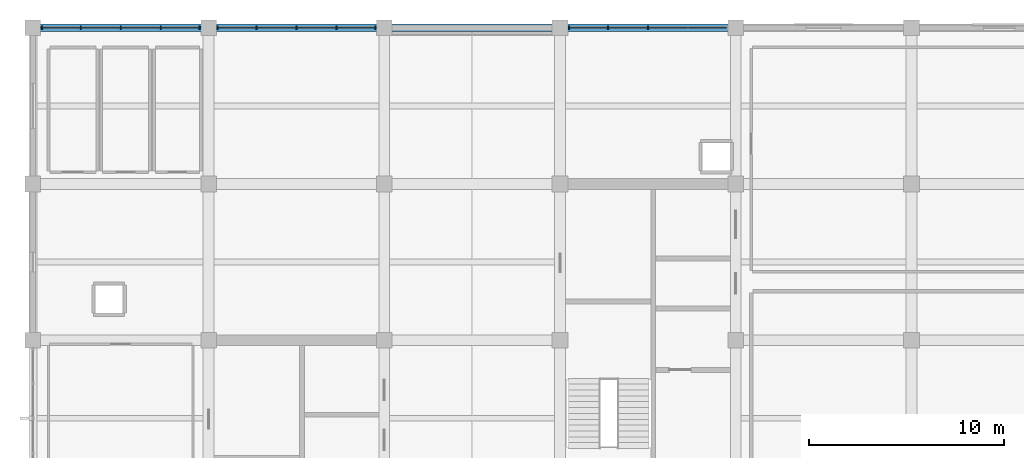
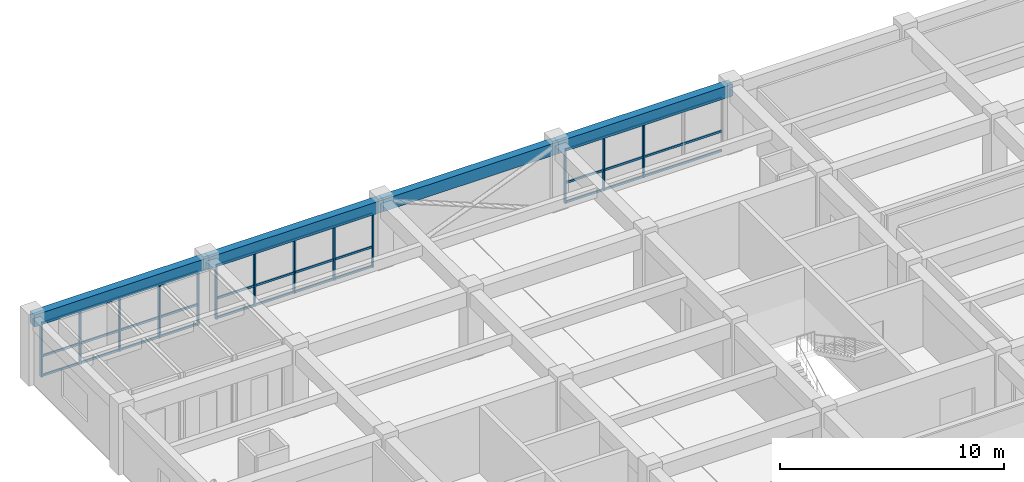
# One storey, part 9 of 16: 22 members, 4 beams, 3 elements without a shape of their own.
"""IFC4 building model written with IfcOpenShell, lengths in metres."""

from ifc_helpers import new_model, si_unit, direction, frame, origin, origin_2d, place, context, subcontext, project, spatial, rectangle, extrude, material, material_profile, profile_set, type_object, element, aggregate, save


model = new_model("IFC4")

# Units and contexts
model_context = context("Model", 3, precision=1e-05, world=origin(), true_north=direction((0.0, 1.0)))
body_context = subcontext(model_context, "Body", "Model", "MODEL_VIEW")
ifc_project = project(units=[si_unit("LENGTHUNIT", "METRE"), si_unit("AREAUNIT", "SQUARE_METRE"), si_unit("VOLUMEUNIT", "CUBIC_METRE"), si_unit("PLANEANGLEUNIT", "RADIAN"), si_unit("MASSUNIT", "GRAM", prefix="KILO")], contexts=[model_context])

# Site, building, storey
site_placement = place(None, origin())
site = spatial("IfcSite", under=ifc_project, at=site_placement, CompositionType="ELEMENT")
building_placement = place(site_placement, origin())
building = spatial("IfcBuilding", under=site, at=building_placement, Name="Zaverband Oceanarium and Marine Research Institute", CompositionType="ELEMENT")
storey_placement = place(building_placement, frame((0.0, 0.0, 41.39990234375)))
storey = spatial("IfcBuildingStorey", under=building, at=storey_placement, Name="L10", CompositionType="ELEMENT", Elevation=41.39990234375)

# Curtain wall, members
ifc_material_1 = material(Name="Thermally broken anodized aluminium and solar-control glass", Category="aluminium")
curtain_wall_type = type_object("IfcCurtainWallType", Name="CW-UNIT-1800", PredefinedType="NOTDEFINED", material=ifc_material_1)
curtain_wall_1_placement = place(storey_placement, origin())
curtain_wall_1 = element("IfcCurtainWall", 1, at=curtain_wall_1_placement, inside=storey, type_object=curtain_wall_type, Name="Unitised glazed curtain wall CW-115", PredefinedType="NOTDEFINED")
ifc_material_2 = material(Name="Thermally broken anodized aluminium", Category="aluminium")
ifc_material_profile_1 = material_profile(ifc_material_2, rectangle(XDim=0.070068359375, YDim=0.14990234375, at=origin_2d()), Name="AL-MUL-70x150")
ifc_profile_set_1 = profile_set([ifc_material_profile_1], Name="Thermally broken anodized aluminium")
member_type_1 = type_object("IfcMemberType", Name="MUL-70x150", PredefinedType="MULLION", material=ifc_profile_set_1)
member_1_placement = place(storey_placement, frame((9.465087890625, 112.0, 0.0), z_axis=(0.0, 0.0, 1.0), x_axis=(1.0, 0.0, 0.0)))
member_1 = element("IfcMember", 2, at=member_1_placement, type_object=member_type_1, Name="Curtain wall vertical mullion MUL-70x150", PredefinedType="MULLION", context=body_context, shape_type="SweptSolid", body=[
    extrude(rectangle(XDim=0.070068359375, YDim=0.14990234375, at=origin_2d()), origin(), (0.0, 0.0, 1.0), 2.9501953125),
])
member_2_placement = place(storey_placement, frame((11.452392578125, 112.0, 0.0), z_axis=(0.0, 0.0, 1.0), x_axis=(1.0, 0.0, 0.0)))
member_2 = element("IfcMember", 3, at=member_2_placement, type_object=member_type_1, Name="Curtain wall vertical mullion MUL-70x150", PredefinedType="MULLION", context=body_context, shape_type="SweptSolid", body=[
    extrude(rectangle(XDim=0.070068359375, YDim=0.14990234375, at=origin_2d()), origin(), (0.0, 0.0, 1.0), 2.9501953125),
])
member_3_placement = place(storey_placement, frame((13.5, 112.0, 0.0), z_axis=(0.0, 0.0, 1.0), x_axis=(1.0, 0.0, 0.0)))
member_3 = element("IfcMember", 4, at=member_3_placement, type_object=member_type_1, Name="Curtain wall vertical mullion MUL-70x150", PredefinedType="MULLION", context=body_context, shape_type="SweptSolid", body=[
    extrude(rectangle(XDim=0.070068359375, YDim=0.14990234375, at=origin_2d()), origin(), (0.0, 0.0, 1.0), 2.9501953125),
])
member_4_placement = place(storey_placement, frame((15.547607421875, 112.0, 0.0), z_axis=(0.0, 0.0, 1.0), x_axis=(1.0, 0.0, 0.0)))
member_4 = element("IfcMember", 5, at=member_4_placement, type_object=member_type_1, Name="Curtain wall vertical mullion MUL-70x150", PredefinedType="MULLION", context=body_context, shape_type="SweptSolid", body=[
    extrude(rectangle(XDim=0.070068359375, YDim=0.14990234375, at=origin_2d()), origin(), (0.0, 0.0, 1.0), 2.9501953125),
])
member_5_placement = place(storey_placement, frame((17.534912109375, 112.0, 0.0), z_axis=(0.0, 0.0, 1.0), x_axis=(1.0, 0.0, 0.0)))
member_5 = element("IfcMember", 6, at=member_5_placement, type_object=member_type_1, Name="Curtain wall vertical mullion MUL-70x150", PredefinedType="MULLION", context=body_context, shape_type="SweptSolid", body=[
    extrude(rectangle(XDim=0.070068359375, YDim=0.14990234375, at=origin_2d()), origin(), (0.0, 0.0, 1.0), 2.9501953125),
])

curtain_wall_2_placement = place(storey_placement, origin())
curtain_wall_2 = element("IfcCurtainWall", 7, at=curtain_wall_2_placement, inside=storey, type_object=curtain_wall_type, Name="Unitised glazed curtain wall CW-116", PredefinedType="NOTDEFINED")
member_6_placement = place(storey_placement, frame((18.465087890625, 112.0, 0.0), z_axis=(0.0, 0.0, 1.0), x_axis=(1.0, 0.0, 0.0)))
member_6 = element("IfcMember", 8, at=member_6_placement, type_object=member_type_1, Name="Curtain wall vertical mullion MUL-70x150", PredefinedType="MULLION", context=body_context, shape_type="SweptSolid", body=[
    extrude(rectangle(XDim=0.070068359375, YDim=0.14990234375, at=origin_2d()), origin(), (0.0, 0.0, 1.0), 2.9501953125),
])
member_7_placement = place(storey_placement, frame((20.452392578125, 112.0, 0.0), z_axis=(0.0, 0.0, 1.0), x_axis=(1.0, 0.0, 0.0)))
member_7 = element("IfcMember", 9, at=member_7_placement, type_object=member_type_1, Name="Curtain wall vertical mullion MUL-70x150", PredefinedType="MULLION", context=body_context, shape_type="SweptSolid", body=[
    extrude(rectangle(XDim=0.070068359375, YDim=0.14990234375, at=origin_2d()), origin(), (0.0, 0.0, 1.0), 2.9501953125),
])
member_8_placement = place(storey_placement, frame((22.5, 112.0, 0.0), z_axis=(0.0, 0.0, 1.0), x_axis=(1.0, 0.0, 0.0)))
member_8 = element("IfcMember", 10, at=member_8_placement, type_object=member_type_1, Name="Curtain wall vertical mullion MUL-70x150", PredefinedType="MULLION", context=body_context, shape_type="SweptSolid", body=[
    extrude(rectangle(XDim=0.070068359375, YDim=0.14990234375, at=origin_2d()), origin(), (0.0, 0.0, 1.0), 2.9501953125),
])
member_9_placement = place(storey_placement, frame((24.547607421875, 112.0, 0.0), z_axis=(0.0, 0.0, 1.0), x_axis=(1.0, 0.0, 0.0)))
member_9 = element("IfcMember", 11, at=member_9_placement, type_object=member_type_1, Name="Curtain wall vertical mullion MUL-70x150", PredefinedType="MULLION", context=body_context, shape_type="SweptSolid", body=[
    extrude(rectangle(XDim=0.070068359375, YDim=0.14990234375, at=origin_2d()), origin(), (0.0, 0.0, 1.0), 2.9501953125),
])
member_10_placement = place(storey_placement, frame((26.534912109375, 112.0, 0.0), z_axis=(0.0, 0.0, 1.0), x_axis=(1.0, 0.0, 0.0)))
member_10 = element("IfcMember", 12, at=member_10_placement, type_object=member_type_1, Name="Curtain wall vertical mullion MUL-70x150", PredefinedType="MULLION", context=body_context, shape_type="SweptSolid", body=[
    extrude(rectangle(XDim=0.070068359375, YDim=0.14990234375, at=origin_2d()), origin(), (0.0, 0.0, 1.0), 2.9501953125),
])

curtain_wall_3_placement = place(storey_placement, origin())
curtain_wall_3 = element("IfcCurtainWall", 13, at=curtain_wall_3_placement, inside=storey, type_object=curtain_wall_type, Name="Unitised glazed curtain wall CW-117", PredefinedType="NOTDEFINED")
member_11_placement = place(storey_placement, frame((36.465087890625, 112.0, 0.0), z_axis=(0.0, 0.0, 1.0), x_axis=(1.0, 0.0, 0.0)))
member_11 = element("IfcMember", 14, at=member_11_placement, type_object=member_type_1, Name="Curtain wall vertical mullion MUL-70x150", PredefinedType="MULLION", context=body_context, shape_type="SweptSolid", body=[
    extrude(rectangle(XDim=0.070068359375, YDim=0.14990234375, at=origin_2d()), origin(), (0.0, 0.0, 1.0), 2.9501953125),
])
member_12_placement = place(storey_placement, frame((38.452392578125, 112.0, 0.0), z_axis=(0.0, 0.0, 1.0), x_axis=(1.0, 0.0, 0.0)))
member_12 = element("IfcMember", 15, at=member_12_placement, type_object=member_type_1, Name="Curtain wall vertical mullion MUL-70x150", PredefinedType="MULLION", context=body_context, shape_type="SweptSolid", body=[
    extrude(rectangle(XDim=0.070068359375, YDim=0.14990234375, at=origin_2d()), origin(), (0.0, 0.0, 1.0), 2.9501953125),
])
member_13_placement = place(storey_placement, frame((40.5, 112.0, 0.0), z_axis=(0.0, 0.0, 1.0), x_axis=(1.0, 0.0, 0.0)))
member_13 = element("IfcMember", 16, at=member_13_placement, type_object=member_type_1, Name="Curtain wall vertical mullion MUL-70x150", PredefinedType="MULLION", context=body_context, shape_type="SweptSolid", body=[
    extrude(rectangle(XDim=0.070068359375, YDim=0.14990234375, at=origin_2d()), origin(), (0.0, 0.0, 1.0), 2.9501953125),
])

# Beams
ifc_material_3 = material(Name="Concrete C40/50", Category="concrete")
ifc_material_profile_2 = material_profile(ifc_material_3, rectangle(XDim=0.39990234375, YDim=0.64990234375, at=origin_2d()), Name="RC400x650")
ifc_profile_set_2 = profile_set([ifc_material_profile_2], Name="Concrete C40/50")
beam_type = type_object("IfcBeamType", Name="SPN-400x650", PredefinedType="SPANDREL", material=ifc_profile_set_2)
for number, where, z_axis, x_axis, name in (
    (17, (9.0, 112.0, 3.295166015625), (1.0, 0.0, 0.0), (0.0, 1.0, 0.0), "Perimeter spandrel beam SPN-400x650"),
    (18, (18.0, 112.0, 3.295166015625), (1.0, 0.0, 0.0), (0.0, 1.0, 0.0), "Perimeter spandrel beam SPN-400x650"),
    (19, (27.0, 112.0, 3.295166015625), (1.0, 0.0, 0.0), (0.0, 1.0, 0.0), "Perimeter spandrel beam SPN-400x650"),
    (20, (36.0, 112.0, 3.295166015625), (1.0, 0.0, 0.0), (0.0, 1.0, 0.0), "Perimeter spandrel beam SPN-400x650"),
):
    element("IfcBeam", number, at=place(storey_placement, frame(where, z_axis=z_axis, x_axis=x_axis)), inside=storey, type_object=beam_type, Name=name, PredefinedType="SPANDREL", context=body_context, shape_type="SweptSolid", body=[
        extrude(rectangle(XDim=0.39990234375, YDim=0.64990234375, at=origin_2d()), origin(), (0.0, 0.0, 1.0), 9.0),
    ])

# Member
ifc_material_profile_3 = material_profile(ifc_material_2, rectangle(XDim=0.070068359375, YDim=0.114990234375, at=origin_2d()), Name="AL-TRN-70x115")
ifc_profile_set_3 = profile_set([ifc_material_profile_3], Name="Thermally broken anodized aluminium")
member_type_2 = type_object("IfcMemberType", Name="TRN-70x115", PredefinedType="USERDEFINED", material=ifc_profile_set_3)
member_14_placement = place(storey_placement, frame((9.465087890625, 112.0, 0.050048828125), z_axis=(1.0, 0.0, 0.0), x_axis=(0.0, 1.0, 0.0)))
member_14 = element("IfcMember", 21, at=member_14_placement, type_object=member_type_2, Name="Curtain wall horizontal transom TRN-70x115", ObjectType="TRANSOM", PredefinedType="USERDEFINED", context=body_context, shape_type="SweptSolid", body=[
    extrude(rectangle(XDim=0.070068359375, YDim=0.114990234375, at=origin_2d()), origin(), (0.0, 0.0, 1.0), 8.06982421875),
])

member_15_placement = place(storey_placement, frame((9.465087890625, 112.0, 1.112060546875), z_axis=(1.0, 0.0, 0.0), x_axis=(0.0, 1.0, 0.0)))
member_15 = element("IfcMember", 22, at=member_15_placement, type_object=member_type_2, Name="Curtain wall horizontal transom TRN-70x115", ObjectType="TRANSOM", PredefinedType="USERDEFINED", context=body_context, shape_type="SweptSolid", body=[
    extrude(rectangle(XDim=0.070068359375, YDim=0.114990234375, at=origin_2d()), origin(), (0.0, 0.0, 1.0), 8.06982421875),
])

member_16_placement = place(storey_placement, frame((9.465087890625, 112.0, 2.900146484375), z_axis=(1.0, 0.0, 0.0), x_axis=(0.0, 1.0, 0.0)))
member_16 = element("IfcMember", 23, at=member_16_placement, type_object=member_type_2, Name="Curtain wall horizontal transom TRN-70x115", ObjectType="TRANSOM", PredefinedType="USERDEFINED", context=body_context, shape_type="SweptSolid", body=[
    extrude(rectangle(XDim=0.070068359375, YDim=0.114990234375, at=origin_2d()), origin(), (0.0, 0.0, 1.0), 8.06982421875),
])

aggregate(curtain_wall_1, [member_1, member_2, member_3, member_4, member_5, member_14, member_15, member_16])

member_17_placement = place(storey_placement, frame((18.465087890625, 112.0, 0.050048828125), z_axis=(1.0, 0.0, 0.0), x_axis=(0.0, 1.0, 0.0)))
member_17 = element("IfcMember", 24, at=member_17_placement, type_object=member_type_2, Name="Curtain wall horizontal transom TRN-70x115", ObjectType="TRANSOM", PredefinedType="USERDEFINED", context=body_context, shape_type="SweptSolid", body=[
    extrude(rectangle(XDim=0.070068359375, YDim=0.114990234375, at=origin_2d()), origin(), (0.0, 0.0, 1.0), 8.06982421875),
])

member_18_placement = place(storey_placement, frame((18.465087890625, 112.0, 1.112060546875), z_axis=(1.0, 0.0, 0.0), x_axis=(0.0, 1.0, 0.0)))
member_18 = element("IfcMember", 25, at=member_18_placement, type_object=member_type_2, Name="Curtain wall horizontal transom TRN-70x115", ObjectType="TRANSOM", PredefinedType="USERDEFINED", context=body_context, shape_type="SweptSolid", body=[
    extrude(rectangle(XDim=0.070068359375, YDim=0.114990234375, at=origin_2d()), origin(), (0.0, 0.0, 1.0), 8.06982421875),
])

member_19_placement = place(storey_placement, frame((18.465087890625, 112.0, 2.900146484375), z_axis=(1.0, 0.0, 0.0), x_axis=(0.0, 1.0, 0.0)))
member_19 = element("IfcMember", 26, at=member_19_placement, type_object=member_type_2, Name="Curtain wall horizontal transom TRN-70x115", ObjectType="TRANSOM", PredefinedType="USERDEFINED", context=body_context, shape_type="SweptSolid", body=[
    extrude(rectangle(XDim=0.070068359375, YDim=0.114990234375, at=origin_2d()), origin(), (0.0, 0.0, 1.0), 8.06982421875),
])

aggregate(curtain_wall_2, [member_6, member_7, member_8, member_9, member_10, member_17, member_18, member_19])

member_20_placement = place(storey_placement, frame((36.465087890625, 112.0, 0.050048828125), z_axis=(1.0, 0.0, 0.0), x_axis=(0.0, 1.0, 0.0)))
member_20 = element("IfcMember", 27, at=member_20_placement, type_object=member_type_2, Name="Curtain wall horizontal transom TRN-70x115", ObjectType="TRANSOM", PredefinedType="USERDEFINED", context=body_context, shape_type="SweptSolid", body=[
    extrude(rectangle(XDim=0.070068359375, YDim=0.114990234375, at=origin_2d()), origin(), (0.0, 0.0, 1.0), 8.06982421875),
])

member_21_placement = place(storey_placement, frame((36.465087890625, 112.0, 1.112060546875), z_axis=(1.0, 0.0, 0.0), x_axis=(0.0, 1.0, 0.0)))
member_21 = element("IfcMember", 28, at=member_21_placement, type_object=member_type_2, Name="Curtain wall horizontal transom TRN-70x115", ObjectType="TRANSOM", PredefinedType="USERDEFINED", context=body_context, shape_type="SweptSolid", body=[
    extrude(rectangle(XDim=0.070068359375, YDim=0.114990234375, at=origin_2d()), origin(), (0.0, 0.0, 1.0), 8.06982421875),
])

member_22_placement = place(storey_placement, frame((36.465087890625, 112.0, 2.900146484375), z_axis=(1.0, 0.0, 0.0), x_axis=(0.0, 1.0, 0.0)))
member_22 = element("IfcMember", 29, at=member_22_placement, type_object=member_type_2, Name="Curtain wall horizontal transom TRN-70x115", ObjectType="TRANSOM", PredefinedType="USERDEFINED", context=body_context, shape_type="SweptSolid", body=[
    extrude(rectangle(XDim=0.070068359375, YDim=0.114990234375, at=origin_2d()), origin(), (0.0, 0.0, 1.0), 8.06982421875),
])

aggregate(curtain_wall_3, [member_11, member_12, member_13, member_20, member_21, member_22])

save(model, "model.ifc")
